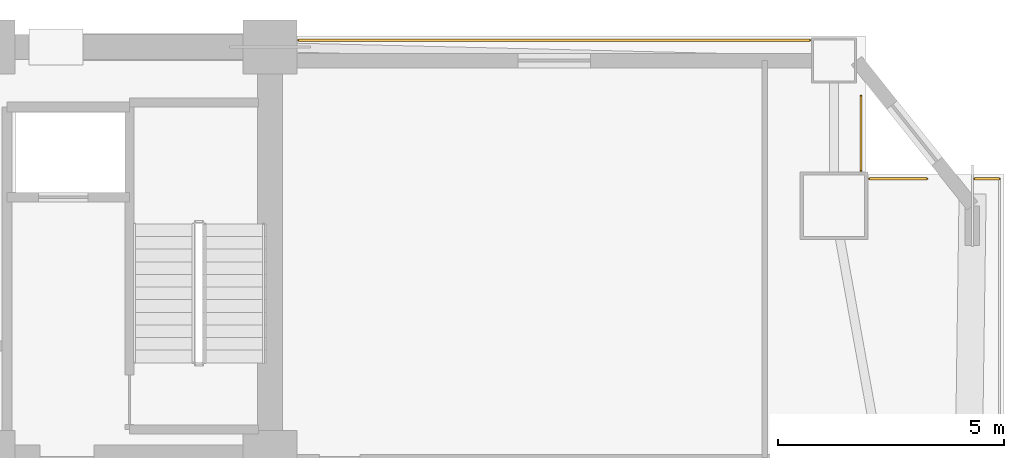
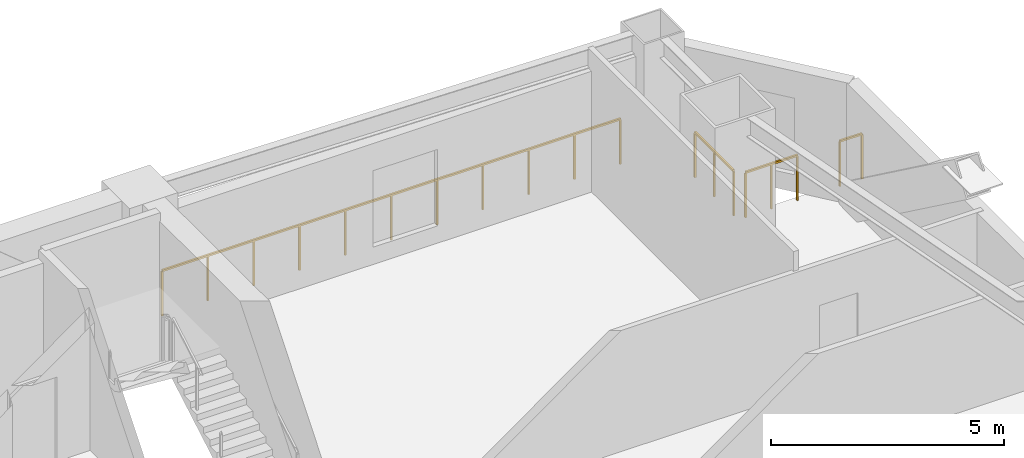
# One storey, part 16 of 16: 4 railings.
"""IFC4 building model written with IfcOpenShell, lengths in metres."""

from ifc_helpers import new_model, si_unit, direction, frame, origin, origin_2d, place, context, subcontext, project, spatial, rectangle, extrude, material, type_object, element, save


model = new_model("IFC4")

# Units and contexts
model_context = context("Model", 3, precision=1e-05, world=origin(), true_north=direction((0.0, 1.0)))
body_context = subcontext(model_context, "Body", "Model", "MODEL_VIEW")
ifc_project = project(units=[si_unit("LENGTHUNIT", "METRE"), si_unit("AREAUNIT", "SQUARE_METRE"), si_unit("VOLUMEUNIT", "CUBIC_METRE"), si_unit("PLANEANGLEUNIT", "RADIAN"), si_unit("MASSUNIT", "GRAM", prefix="KILO")], contexts=[model_context])

# Site, building, storey
site_placement = place(None, origin())
site = spatial("IfcSite", under=ifc_project, at=site_placement, CompositionType="ELEMENT")
building_placement = place(site_placement, origin())
building = spatial("IfcBuilding", under=site, at=building_placement, Name="Giltprow Tower", CompositionType="ELEMENT")
storey_placement = place(building_placement, frame((0.0, 0.0, 87.39990234375)))
storey = spatial("IfcBuildingStorey", under=building, at=storey_placement, Name="L21", CompositionType="ELEMENT", Elevation=87.39990234375)

# Railings
ifc_material = material(Name="Anodized bronze", Category="metal")
railing_type = type_object("IfcRailingType", Name="RAIL-BALC-GUARD-1200", PredefinedType="BALUSTRADE", material=ifc_material)
railing_1_placement = place(storey_placement, frame((51.18505859375, 46.699951171875, 0.0)))
element("IfcRailing", 1, at=railing_1_placement, inside=storey, type_object=railing_type, Name="L21 Corner Apron Edge Balustrade 10", PredefinedType="BALUSTRADE", context=body_context, shape_type="SweptSolid", body=[
    extrude(rectangle(XDim=0.048095703125, YDim=0.048095703125, at=origin_2d()), frame((0.0, 0.0, 1.17578125), z_axis=(1.0, 0.0, 0.0), x_axis=(0.0, 1.0, 0.0)), (0.0, 0.0, 1.0), 11.3359375),
    extrude(rectangle(XDim=0.0419921875, YDim=0.0419921875, at=origin_2d()), origin(), (0.0, 0.0, 1.0), 1.15185546875),
    extrude(rectangle(XDim=0.0419921875, YDim=0.0419921875, at=origin_2d()), frame((1.133544921875, 0.0, 0.0)), (0.0, 0.0, 1.0), 1.15185546875),
    extrude(rectangle(XDim=0.0419921875, YDim=0.0419921875, at=origin_2d()), frame((2.26708984375, 0.0, 0.0)), (0.0, 0.0, 1.0), 1.15185546875),
    extrude(rectangle(XDim=0.0419921875, YDim=0.0419921875, at=origin_2d()), frame((3.40087890625, 0.0, 0.0)), (0.0, 0.0, 1.0), 1.15185546875),
    extrude(rectangle(XDim=0.0419921875, YDim=0.0419921875, at=origin_2d()), frame((4.534423828125, 0.0, 0.0)), (0.0, 0.0, 1.0), 1.15185546875),
    extrude(rectangle(XDim=0.0419921875, YDim=0.0419921875, at=origin_2d()), frame((5.66796875, 0.0, 0.0)), (0.0, 0.0, 1.0), 1.15185546875),
    extrude(rectangle(XDim=0.0419921875, YDim=0.0419921875, at=origin_2d()), frame((6.801513671875, 0.0, 0.0)), (0.0, 0.0, 1.0), 1.15185546875),
    extrude(rectangle(XDim=0.0419921875, YDim=0.0419921875, at=origin_2d()), frame((7.93505859375, 0.0, 0.0)), (0.0, 0.0, 1.0), 1.15185546875),
    extrude(rectangle(XDim=0.0419921875, YDim=0.0419921875, at=origin_2d()), frame((9.06884765625, 0.0, 0.0)), (0.0, 0.0, 1.0), 1.15185546875),
    extrude(rectangle(XDim=0.0419921875, YDim=0.0419921875, at=origin_2d()), frame((10.202392578125, 0.0, 0.0)), (0.0, 0.0, 1.0), 1.15185546875),
    extrude(rectangle(XDim=0.0419921875, YDim=0.0419921875, at=origin_2d()), frame((11.3359375, 0.0, 0.0)), (0.0, 0.0, 1.0), 1.15185546875),
])
railing_2_placement = place(storey_placement, frame((63.656005859375, 45.467041015625, 0.0)))
element("IfcRailing", 2, at=railing_2_placement, inside=storey, type_object=railing_type, Name="L21 Corner Apron Edge Balustrade 11", PredefinedType="BALUSTRADE", context=body_context, shape_type="SweptSolid", body=[
    extrude(rectangle(XDim=0.048095703125, YDim=0.048095703125, at=origin_2d()), frame((0.0, 0.0, 1.17578125), z_axis=(0.0, -1.0, 0.0), x_axis=(1.0, 0.0, 0.0)), (0.0, 0.0, 1.0), 1.652099609375),
    extrude(rectangle(XDim=0.0419921875, YDim=0.0419921875, at=origin_2d()), origin(), (0.0, 0.0, 1.0), 1.15185546875),
    extrude(rectangle(XDim=0.0419921875, YDim=0.0419921875, at=origin_2d()), frame((0.0, -0.826171875, 0.0)), (0.0, 0.0, 1.0), 1.15185546875),
    extrude(rectangle(XDim=0.0419921875, YDim=0.0419921875, at=origin_2d()), frame((0.0, -1.652099609375, 0.0)), (0.0, 0.0, 1.0), 1.15185546875),
])
railing_3_placement = place(storey_placement, frame((63.841064453125, 43.6298828125, 0.0)))
element("IfcRailing", 3, at=railing_3_placement, inside=storey, type_object=railing_type, Name="L21 Corner Apron Edge Balustrade 12", PredefinedType="BALUSTRADE", context=body_context, shape_type="SweptSolid", body=[
    extrude(rectangle(XDim=0.048095703125, YDim=0.048095703125, at=origin_2d()), frame((0.0, 0.0, 1.17578125), z_axis=(1.0, 0.0, 0.0), x_axis=(0.0, 1.0, 0.0)), (0.0, 0.0, 1.0), 1.281982421875),
    extrude(rectangle(XDim=0.0419921875, YDim=0.0419921875, at=origin_2d()), origin(), (0.0, 0.0, 1.0), 1.15185546875),
    extrude(rectangle(XDim=0.0419921875, YDim=0.0419921875, at=origin_2d()), frame((0.64111328125, 0.0, 0.0)), (0.0, 0.0, 1.0), 1.15185546875),
    extrude(rectangle(XDim=0.0419921875, YDim=0.0419921875, at=origin_2d()), frame((1.281982421875, 0.0, 0.0)), (0.0, 0.0, 1.0), 1.15185546875),
])
railing_4_placement = place(storey_placement, frame((66.172119140625, 43.6298828125, 0.0)))
element("IfcRailing", 4, at=railing_4_placement, inside=storey, type_object=railing_type, Name="L21 Corner Apron Edge Balustrade 13", PredefinedType="BALUSTRADE", context=body_context, shape_type="SweptSolid", body=[
    extrude(rectangle(XDim=0.048095703125, YDim=0.048095703125, at=origin_2d()), frame((0.0, 0.0, 1.17578125), z_axis=(1.0, 0.0, 0.0), x_axis=(0.0, 1.0, 0.0)), (0.0, 0.0, 1.0), 0.553955078125),
    extrude(rectangle(XDim=0.0419921875, YDim=0.0419921875, at=origin_2d()), origin(), (0.0, 0.0, 1.0), 1.15185546875),
    extrude(rectangle(XDim=0.0419921875, YDim=0.0419921875, at=origin_2d()), frame((0.553955078125, 0.0, 0.0)), (0.0, 0.0, 1.0), 1.15185546875),
])

save(model, "model.ifc")
